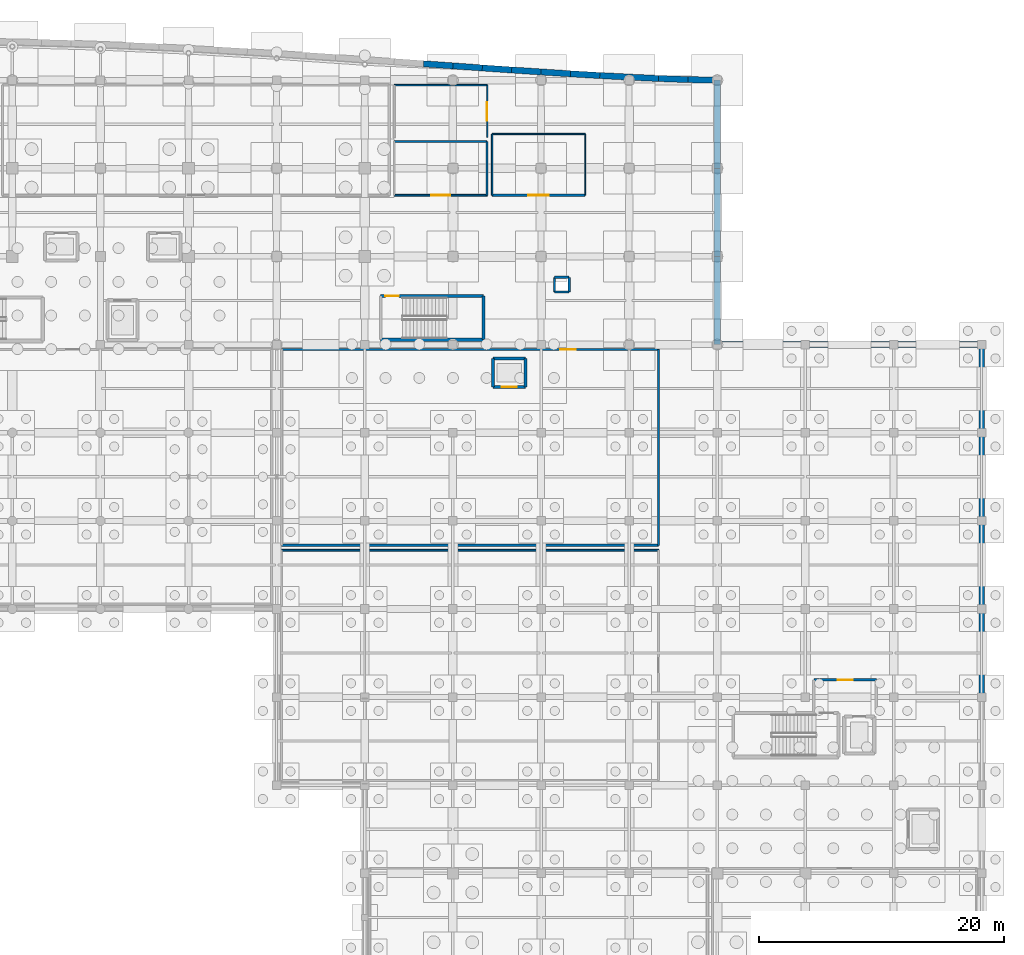
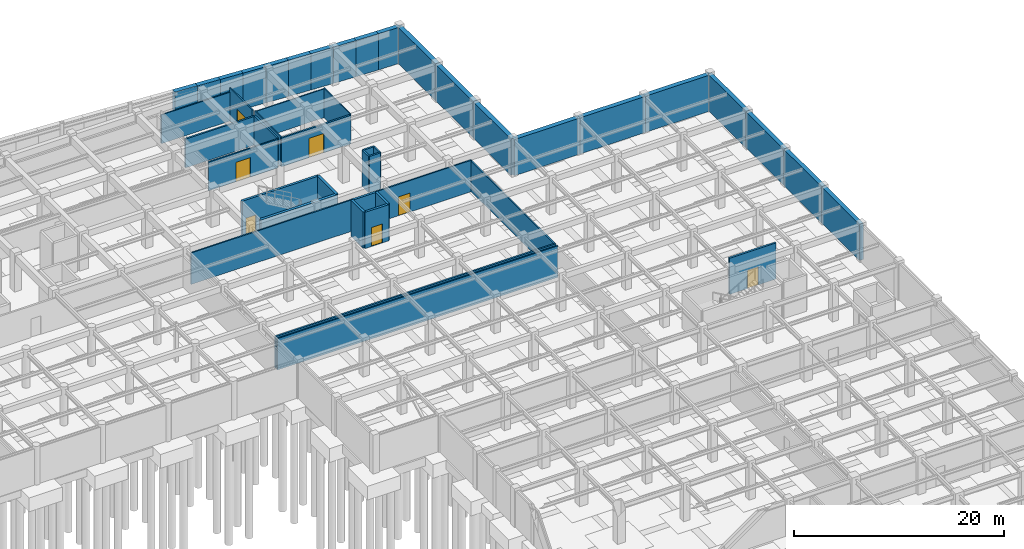
# One storey, part 40 of 48: 45 walls, 7 doors, 7 openings.
"""IFC4 building model written with IfcOpenShell, lengths in metres."""

from ifc_helpers import new_model, si_unit, direction, frame, frame_2d, origin, place, context, subcontext, project, spatial, rectangle, extrude, material, layer, layer_set, type_object, element, fill, save


model = new_model("IFC4")

# Units and contexts
model_context = context("Model", 3, precision=1e-05, world=origin(), true_north=direction((0.0, 1.0)))
body_context = subcontext(model_context, "Body", "Model", "MODEL_VIEW")
ifc_project = project(units=[si_unit("LENGTHUNIT", "METRE"), si_unit("AREAUNIT", "SQUARE_METRE"), si_unit("VOLUMEUNIT", "CUBIC_METRE"), si_unit("PLANEANGLEUNIT", "RADIAN"), si_unit("MASSUNIT", "GRAM", prefix="KILO")], contexts=[model_context])

# Site, building, storey
site_placement = place(None, origin())
site = spatial("IfcSite", under=ifc_project, at=site_placement, CompositionType="ELEMENT")
building_placement = place(site_placement, origin())
building = spatial("IfcBuilding", under=site, at=building_placement, Name="Carrowvane Square Congress Hotel", CompositionType="ELEMENT")
storey_placement = place(building_placement, frame((0.0, 0.0, -4.5)))
storey = spatial("IfcBuildingStorey", under=building, at=storey_placement, Name="B01", CompositionType="ELEMENT", Elevation=-4.5)

# Wall, opening, door
ifc_material_1 = material(Name="Acoustic gypsum board", Category="gypsum")
ifc_layer_1 = layer(ifc_material_1, 0.155029296875)
ifc_layer_set_1 = layer_set([ifc_layer_1], Name="Acoustic gypsum board")
wall_type_1 = type_object("IfcWallType", Name="WL-FIR-155", PredefinedType="PARTITIONING", material=ifc_layer_set_1)
wall_1_placement = place(storey_placement, frame((144.0, 104.0, 0.0), z_axis=(0.0, 0.0, 1.0), x_axis=(-1.0, 0.0, 0.0)))
wall_1 = element("IfcWall", 1, at=wall_1_placement, inside=storey, type_object=wall_type_1, Name="B01 Basement Staff Male Toilets partition", PredefinedType="PARTITIONING", context=body_context, shape_type="SweptSolid", body=[
    extrude(rectangle(XDim=7.60009765625, YDim=0.155029296875, at=frame_2d((3.800048828125, 0.0))), origin(), (0.0, 0.0, 1.0), 3.3349609375),
])
opening_1_placement = place(wall_1_placement, frame((3.02001953125, 0.0, 0.0)))
opening_1 = element("IfcOpeningElement", 2, at=opening_1_placement, cuts=wall_1, Name="Opening ID-26", PredefinedType="OPENING", context=body_context, shape_type="SweptSolid", body=[
    extrude(rectangle(XDim=1.56005859375, YDim=2.260009765625, at=frame_2d((0.780029296875, 1.1298828125))), frame((0.0, 0.08740234375, 0.0), z_axis=(0.0, -1.0, 0.0), x_axis=(1.0, 0.0, 0.0)), (0.0, 0.0, 1.0), 0.175048828125),
])
ifc_material_2 = material(Name="European oak timber", Category="wood")
door_type_1 = type_object("IfcDoorType", Name="DR-INT-1560x2260", OperationType="DOUBLE_DOOR_SINGLE_SWING", PredefinedType="DOOR", material=ifc_material_2)
door_1_placement = place(opening_1_placement, origin())
door_1 = element("IfcDoor", 3, at=door_1_placement, inside=storey, type_object=door_type_1, Name="B01 Basement Staff Male Toilets entrance door", OperationType="DOUBLE_DOOR_SINGLE_SWING", OverallHeight=2.260009765625, OverallWidth=1.56005859375, PredefinedType="DOOR", context=body_context, shape_type="SweptSolid", body=[
    extrude(rectangle(XDim=1.56005859375, YDim=2.260009765625, at=frame_2d((0.780029296875, 1.1298828125))), frame((0.0, 0.02490234375, 0.0), z_axis=(0.0, -1.0, 0.0), x_axis=(1.0, 0.0, 0.0)), (0.0, 0.0, 1.0), 0.050048828125),
])
fill(opening_1, door_1)

# Walls
ifc_material_3 = material(Name="Acoustic gypsum board", Category="gypsum")
ifc_layer_2 = layer(ifc_material_3, 0.169921875)
ifc_layer_set_2 = layer_set([ifc_layer_2], Name="Acoustic gypsum board")
wall_type_2 = type_object("IfcWallType", Name="WL-FIR-170", PredefinedType="PARTITIONING", material=ifc_layer_set_2)
wall_2_placement = place(storey_placement, frame((144.0, 108.39990234375, 0.0), z_axis=(0.0, 0.0, 1.0), x_axis=(0.0, -1.0, 0.0)))
element("IfcWall", 4, at=wall_2_placement, inside=storey, type_object=wall_type_2, Name="B01 Basement Staff Male Toilets partition", PredefinedType="PARTITIONING", context=body_context, shape_type="SweptSolid", body=[
    extrude(rectangle(XDim=4.39990234375, YDim=0.169921875, at=frame_2d((2.199951171875, 0.0))), origin(), (0.0, 0.0, 1.0), 3.43505859375),
])
ifc_material_4 = material(Name="Acoustic gypsum board", Category="gypsum")
ifc_layer_3 = layer(ifc_material_4, 0.18505859375)
ifc_layer_set_3 = layer_set([ifc_layer_3], Name="Acoustic gypsum board")
wall_type_3 = type_object("IfcWallType", Name="WL-FIR-185", PredefinedType="PARTITIONING", material=ifc_layer_set_3)
wall_3_placement = place(storey_placement, frame((158.0, 75.39990234375, 0.0), z_axis=(0.0, 0.0, 1.0), x_axis=(-1.0, 0.0, 0.0)))
element("IfcWall", 5, at=wall_3_placement, inside=storey, type_object=wall_type_3, Name="B01 LTHW Boiler and Thermal Storage Plant Room partition", PredefinedType="PARTITIONING", context=body_context, shape_type="SweptSolid", body=[
    extrude(rectangle(XDim=30.800048828125, YDim=0.18505859375, at=frame_2d((15.39990234375, 0.0))), origin(), (0.0, 0.0, 1.0), 3.648193359375),
])
wall_4_placement = place(storey_placement, frame((136.39990234375, 108.39990234375, 0.0), z_axis=(0.0, 0.0, 1.0), x_axis=(1.0, 0.0, 0.0)))
element("IfcWall", 6, at=wall_4_placement, inside=storey, type_object=wall_type_3, Name="B01 Basement Staff Male Toilets partition", PredefinedType="PARTITIONING", context=body_context, shape_type="SweptSolid", body=[
    extrude(rectangle(XDim=7.60009765625, YDim=0.18505859375, at=frame_2d((3.800048828125, 0.0))), origin(), (0.0, 0.0, 1.0), 3.3349609375),
])

# Wall, opening, door
wall_5_placement = place(storey_placement, frame((152.0, 104.0, 0.0), z_axis=(0.0, 0.0, 1.0), x_axis=(-1.0, 0.0, 0.0)))
wall_5 = element("IfcWall", 7, at=wall_5_placement, inside=storey, type_object=wall_type_3, Name="B01 Basement Accessible WC partition", PredefinedType="PARTITIONING", context=body_context, shape_type="SweptSolid", body=[
    extrude(rectangle(XDim=7.60009765625, YDim=0.18505859375, at=frame_2d((3.800048828125, 0.0))), origin(), (0.0, 0.0, 1.0), 3.3349609375),
])
opening_2_placement = place(wall_5_placement, frame((2.97509765625, 0.0, 0.0)))
opening_2 = element("IfcOpeningElement", 8, at=opening_2_placement, cuts=wall_5, Name="Opening ID-12", PredefinedType="OPENING", context=body_context, shape_type="SweptSolid", body=[
    extrude(rectangle(XDim=1.64990234375, YDim=2.25, at=frame_2d((0.824951171875, 1.125))), frame((0.0, 0.1025390625, 0.0), z_axis=(0.0, -1.0, 0.0), x_axis=(1.0, 0.0, 0.0)), (0.0, 0.0, 1.0), 0.205078125),
])
ifc_material_5 = material(Name="European oak timber", Category="wood")
door_type_2 = type_object("IfcDoorType", Name="DR-INT-1650x2250", OperationType="DOUBLE_DOOR_SINGLE_SWING", PredefinedType="DOOR", material=ifc_material_5)
door_2_placement = place(opening_2_placement, origin())
door_2 = element("IfcDoor", 9, at=door_2_placement, inside=storey, type_object=door_type_2, Name="B01 Basement Accessible WC entrance door", OperationType="DOUBLE_DOOR_SINGLE_SWING", OverallHeight=2.25, OverallWidth=1.64990234375, PredefinedType="DOOR", context=body_context, shape_type="SweptSolid", body=[
    extrude(rectangle(XDim=1.64990234375, YDim=2.25, at=frame_2d((0.824951171875, 1.125))), frame((0.0, 0.02490234375, 0.0), z_axis=(0.0, -1.0, 0.0), x_axis=(1.0, 0.0, 0.0)), (0.0, 0.0, 1.0), 0.050048828125),
])
fill(opening_2, door_2)

ifc_material_6 = material(Name="Acoustic gypsum board", Category="gypsum")
ifc_layer_4 = layer(ifc_material_6, 0.205078125)
ifc_layer_set_4 = layer_set([ifc_layer_4], Name="Acoustic gypsum board")
wall_type_4 = type_object("IfcWallType", Name="WL-FIR-205", PredefinedType="PARTITIONING", material=ifc_layer_set_4)
wall_6_placement = place(storey_placement, frame((175.800048828125, 64.39990234375, 0.0), z_axis=(0.0, 0.0, 1.0), x_axis=(-1.0, 0.0, 0.0)))
wall_6 = element("IfcWall", 10, at=wall_6_placement, inside=storey, type_object=wall_type_4, Name="B01 Firefighting Lobby C4 wall north", PredefinedType="PARTITIONING", context=body_context, shape_type="SweptSolid", body=[
    extrude(rectangle(XDim=5.10009765625, YDim=0.205078125, at=frame_2d((2.550048828125, 0.0))), origin(), (0.0, 0.0, 1.0), 4.199951171875),
])
opening_3_placement = place(wall_6_placement, frame((1.949951171875, 0.0, 0.0)))
opening_3 = element("IfcOpeningElement", 11, at=opening_3_placement, cuts=wall_6, Name="Opening FD-02", PredefinedType="OPENING", context=body_context, shape_type="SweptSolid", body=[
    extrude(rectangle(XDim=1.199951171875, YDim=2.10009765625, at=frame_2d((0.60009765625, 1.050048828125))), frame((0.0, 0.112548828125, 0.0), z_axis=(0.0, -1.0, 0.0), x_axis=(1.0, 0.0, 0.0)), (0.0, 0.0, 1.0), 0.22509765625),
])
ifc_material_7 = material(Name="European oak timber", Category="wood")
door_type_3 = type_object("IfcDoorType", Name="DR-FD60-1200x2100", OperationType="NOTDEFINED", PredefinedType="DOOR", material=ifc_material_7)
door_3_placement = place(opening_3_placement, origin())
door_3 = element("IfcDoor", 12, at=door_3_placement, inside=storey, type_object=door_type_3, Name="B01 Firefighting Lobby C4 entrance door", OperationType="SINGLE_SWING_RIGHT", OverallHeight=2.10009765625, OverallWidth=1.199951171875, PredefinedType="DOOR", context=body_context, shape_type="SweptSolid", body=[
    extrude(rectangle(XDim=1.199951171875, YDim=2.10009765625, at=frame_2d((0.60009765625, 1.050048828125))), frame((0.0, 0.02490234375, 0.0), z_axis=(0.0, -1.0, 0.0), x_axis=(1.0, 0.0, 0.0)), (0.0, 0.0, 1.0), 0.050048828125),
])
fill(opening_3, door_3)

# Walls
ifc_material_8 = material(Name="Standing-seam zinc cladding", Category="metal")
ifc_layer_5 = layer(ifc_material_8, 0.195068359375)
ifc_layer_set_5 = layer_set([ifc_layer_5], Name="Standing-seam zinc cladding")
wall_type_5 = type_object("IfcWallType", Name="WL-PAR-195", PredefinedType="PARAPET", material=ifc_layer_set_5)
for number, where, z_axis, x_axis, name in (
    (13, (149.5, 96.10009765625, 0.0), (0.0, 0.0, 1.0), (1.0, 0.0, 0.0), "B01 service riser RSR-V5E enclosure S"),
    (14, (150.699951171875, 96.10009765625, 0.0), (0.0, 0.0, 1.0), (0.0, 1.0, 0.0), "B01 service riser RSR-V5E enclosure E"),
    (15, (150.699951171875, 97.300048828125, 0.0), (0.0, 0.0, 1.0), (-1.0, 0.0, 0.0), "B01 service riser RSR-V5E enclosure N"),
    (16, (149.5, 97.300048828125, 0.0), (0.0, 0.0, 1.0), (0.0, -1.0, 0.0), "B01 service riser RSR-V5E enclosure W"),
):
    element("IfcWall", number, at=place(storey_placement, frame(where, z_axis=z_axis, x_axis=x_axis)), inside=storey, type_object=wall_type_5, Name=name, PredefinedType="PARAPET", context=body_context, shape_type="SweptSolid", body=[
        extrude(rectangle(XDim=1.199951171875, YDim=0.195068359375, at=frame_2d((0.60009765625, 0.0))), origin(), (0.0, 0.0, 1.0), 4.199951171875),
    ])
ifc_material_9 = material(Name="Acoustic gypsum board", Category="gypsum")
ifc_layer_6 = layer(ifc_material_9, 0.097900390625)
ifc_layer_set_6 = layer_set([ifc_layer_6], Name="Acoustic gypsum board")
wall_type_6 = type_object("IfcWallType", Name="WL-PRT-098", PredefinedType="PARTITIONING", material=ifc_layer_set_6)
wall_7_placement = place(storey_placement, frame((152.0, 109.0, 0.0), z_axis=(0.0, 0.0, 1.0), x_axis=(0.0, -1.0, 0.0)))
element("IfcWall", 17, at=wall_7_placement, inside=storey, type_object=wall_type_6, Name="B01 Basement Accessible WC partition", PredefinedType="PARTITIONING", context=body_context, shape_type="SweptSolid", body=[
    extrude(rectangle(XDim=5.0, YDim=0.097900390625, at=frame_2d((2.5, 0.0))), origin(), (0.0, 0.0, 1.0), 3.43505859375),
])
ifc_material_10 = material(Name="Acoustic gypsum board", Category="gypsum")
ifc_layer_7 = layer(ifc_material_10, 0.10791015625)
ifc_layer_set_7 = layer_set([ifc_layer_7], Name="Acoustic gypsum board")
wall_type_7 = type_object("IfcWallType", Name="WL-PRT-108", PredefinedType="PARTITIONING", material=ifc_layer_set_7)
wall_8_placement = place(storey_placement, frame((144.39990234375, 109.0, 0.0), z_axis=(0.0, 0.0, 1.0), x_axis=(1.0, 0.0, 0.0)))
element("IfcWall", 18, at=wall_8_placement, inside=storey, type_object=wall_type_7, Name="B01 Basement Accessible WC partition", PredefinedType="PARTITIONING", context=body_context, shape_type="SweptSolid", body=[
    extrude(rectangle(XDim=7.60009765625, YDim=0.10791015625, at=frame_2d((3.800048828125, 0.0))), origin(), (0.0, 0.0, 1.0), 3.3349609375),
])
ifc_material_11 = material(Name="Acoustic gypsum board", Category="gypsum")
ifc_layer_8 = layer(ifc_material_11, 0.117919921875)
ifc_layer_set_8 = layer_set([ifc_layer_8], Name="Acoustic gypsum board")
wall_type_8 = type_object("IfcWallType", Name="WL-PRT-118", PredefinedType="PARTITIONING", material=ifc_layer_set_8)
wall_9_placement = place(storey_placement, frame((144.39990234375, 104.0, 0.0), z_axis=(0.0, 0.0, 1.0), x_axis=(0.0, 1.0, 0.0)))
element("IfcWall", 19, at=wall_9_placement, inside=storey, type_object=wall_type_8, Name="B01 Basement Accessible WC partition", PredefinedType="PARTITIONING", context=body_context, shape_type="SweptSolid", body=[
    extrude(rectangle(XDim=5.0, YDim=0.117919921875, at=frame_2d((2.5, 0.0))), origin(), (0.0, 0.0, 1.0), 3.43505859375),
])

# Wall, opening, door
ifc_material_12 = material(Name="Acoustic gypsum board", Category="gypsum")
ifc_layer_9 = layer(ifc_material_12, 0.1279296875)
ifc_layer_set_9 = layer_set([ifc_layer_9], Name="Acoustic gypsum board")
wall_type_9 = type_object("IfcWallType", Name="WL-PRT-128", PredefinedType="PARTITIONING", material=ifc_layer_set_9)
wall_10_placement = place(storey_placement, frame((144.0, 113.0, 0.0), z_axis=(0.0, 0.0, 1.0), x_axis=(0.0, -1.0, 0.0)))
wall_10 = element("IfcWall", 20, at=wall_10_placement, inside=storey, type_object=wall_type_9, Name="B01 Basement Staff Female Toilets partition", PredefinedType="PARTITIONING", context=body_context, shape_type="SweptSolid", body=[
    extrude(rectangle(XDim=4.300048828125, YDim=0.1279296875, at=frame_2d((2.14990234375, 0.0))), origin(), (0.0, 0.0, 1.0), 3.826904296875),
])
opening_4_placement = place(wall_10_placement, frame((1.39990234375, 0.0, 0.0)))
opening_4 = element("IfcOpeningElement", 21, at=opening_4_placement, cuts=wall_10, Name="Opening ID-11", PredefinedType="OPENING", context=body_context, shape_type="SweptSolid", body=[
    extrude(rectangle(XDim=1.5, YDim=2.199951171875, at=frame_2d((0.75, 1.10009765625))), frame((0.0, 0.073974609375, 0.0), z_axis=(0.0, -1.0, 0.0), x_axis=(1.0, 0.0, 0.0)), (0.0, 0.0, 1.0), 0.14794921875),
])
ifc_material_13 = material(Name="European oak timber", Category="wood")
door_type_4 = type_object("IfcDoorType", Name="DR-INT-1500x2200", OperationType="DOUBLE_DOOR_SINGLE_SWING", PredefinedType="DOOR", material=ifc_material_13)
door_4_placement = place(opening_4_placement, origin())
door_4 = element("IfcDoor", 22, at=door_4_placement, inside=storey, type_object=door_type_4, Name="B01 Basement Staff Female Toilets entrance door", OperationType="DOUBLE_DOOR_SINGLE_SWING", OverallHeight=2.199951171875, OverallWidth=1.5, PredefinedType="DOOR", context=body_context, shape_type="SweptSolid", body=[
    extrude(rectangle(XDim=1.5, YDim=2.199951171875, at=frame_2d((0.75, 1.10009765625))), frame((0.0, 0.02490234375, 0.0), z_axis=(0.0, -1.0, 0.0), x_axis=(1.0, 0.0, 0.0)), (0.0, 0.0, 1.0), 0.050048828125),
])
fill(opening_4, door_4)

# Walls
ifc_material_14 = material(Name="Acoustic gypsum board", Category="gypsum")
ifc_layer_10 = layer(ifc_material_14, 0.137939453125)
ifc_layer_set_10 = layer_set([ifc_layer_10], Name="Acoustic gypsum board")
wall_type_10 = type_object("IfcWallType", Name="WL-PRT-138", PredefinedType="PARTITIONING", material=ifc_layer_set_10)
wall_11_placement = place(storey_placement, frame((127.199951171875, 75.0, 0.0), z_axis=(0.0, 0.0, 1.0), x_axis=(1.0, 0.0, 0.0)))
element("IfcWall", 23, at=wall_11_placement, inside=storey, type_object=wall_type_10, Name="B01 Central Chiller and Heat-Pump Plant Room partition", PredefinedType="PARTITIONING", context=body_context, shape_type="SweptSolid", body=[
    extrude(rectangle(XDim=30.800048828125, YDim=0.137939453125, at=frame_2d((15.39990234375, 0.0))), origin(), (0.0, 0.0, 1.0), 3.648193359375),
])
wall_12_placement = place(storey_placement, frame((158.0, 91.39990234375, 0.0), z_axis=(0.0, 0.0, 1.0), x_axis=(0.0, -1.0, 0.0)))
element("IfcWall", 24, at=wall_12_placement, inside=storey, type_object=wall_type_10, Name="B01 LTHW Boiler and Thermal Storage Plant Room partition", PredefinedType="PARTITIONING", context=body_context, shape_type="SweptSolid", body=[
    extrude(rectangle(XDim=16.0, YDim=0.137939453125, at=frame_2d((8.0, 0.0))), origin(), (0.0, 0.0, 1.0), 3.534912109375),
])
wall_13_placement = place(storey_placement, frame((136.39990234375, 113.0, 0.0), z_axis=(0.0, 0.0, 1.0), x_axis=(1.0, 0.0, 0.0)))
element("IfcWall", 25, at=wall_13_placement, inside=storey, type_object=wall_type_10, Name="B01 Basement Staff Female Toilets partition", PredefinedType="PARTITIONING", context=body_context, shape_type="SweptSolid", body=[
    extrude(rectangle(XDim=7.60009765625, YDim=0.137939453125, at=frame_2d((3.800048828125, 0.0))), origin(), (0.0, 0.0, 1.0), 3.3349609375),
])

# Wall, opening, door
ifc_material_15 = material(Name="Acoustic gypsum board", Category="gypsum")
ifc_layer_11 = layer(ifc_material_15, 0.14794921875)
ifc_layer_set_11 = layer_set([ifc_layer_11], Name="Acoustic gypsum board")
wall_type_11 = type_object("IfcWallType", Name="WL-PRT-148", PredefinedType="PARTITIONING", material=ifc_layer_set_11)
wall_14_placement = place(storey_placement, frame((127.199951171875, 91.39990234375, 0.0), z_axis=(0.0, 0.0, 1.0), x_axis=(1.0, 0.0, 0.0)))
wall_14 = element("IfcWall", 26, at=wall_14_placement, inside=storey, type_object=wall_type_11, Name="B01 LTHW Boiler and Thermal Storage Plant Room partition", PredefinedType="PARTITIONING", context=body_context, shape_type="SweptSolid", body=[
    extrude(rectangle(XDim=30.800048828125, YDim=0.14794921875, at=frame_2d((15.39990234375, 0.0))), origin(), (0.0, 0.0, 1.0), 3.648193359375),
])
opening_5_placement = place(wall_14_placement, frame((22.77490234375, 0.0, 0.0)))
opening_5 = element("IfcOpeningElement", 27, at=opening_5_placement, cuts=wall_14, Name="Opening ID-10", PredefinedType="OPENING", context=body_context, shape_type="SweptSolid", body=[
    extrude(rectangle(XDim=1.25, YDim=2.199951171875, at=frame_2d((0.625, 1.10009765625))), frame((0.0, 0.083984375, 0.0), z_axis=(0.0, -1.0, 0.0), x_axis=(1.0, 0.0, 0.0)), (0.0, 0.0, 1.0), 0.16796875),
])
ifc_material_16 = material(Name="European oak timber", Category="wood")
door_type_5 = type_object("IfcDoorType", Name="DR-INT-1250x2200", OperationType="NOTDEFINED", PredefinedType="DOOR", material=ifc_material_16)
door_5_placement = place(opening_5_placement, origin())
door_5 = element("IfcDoor", 28, at=door_5_placement, inside=storey, type_object=door_type_5, Name="B01 LTHW Boiler and Thermal Storage Plant Room entrance door", OperationType="SINGLE_SWING_RIGHT", OverallHeight=2.199951171875, OverallWidth=1.25, PredefinedType="DOOR", context=body_context, shape_type="SweptSolid", body=[
    extrude(rectangle(XDim=1.25, YDim=2.199951171875, at=frame_2d((0.625, 1.10009765625))), frame((0.0, 0.02490234375, 0.0), z_axis=(0.0, -1.0, 0.0), x_axis=(1.0, 0.0, 0.0)), (0.0, 0.0, 1.0), 0.050048828125),
])
fill(opening_5, door_5)

# Walls
ifc_material_17 = material(Name="Concrete C35/45", Category="concrete")
ifc_layer_12 = layer(ifc_material_17, 0.449951171875)
ifc_layer_set_12 = layer_set([ifc_layer_12], Name="Concrete C35/45")
wall_type_12 = type_object("IfcWallType", Name="WL-RET-450", PredefinedType="SOLIDWALL", material=ifc_layer_set_12)
wall_15_placement = place(storey_placement, frame((184.39990234375, 91.800048828125, 0.0), z_axis=(0.0, 0.0, 1.0), x_axis=(0.0, -1.0, 0.0)))
element("IfcWall", 29, at=wall_15_placement, inside=storey, type_object=wall_type_12, Name="B01 perimeter retaining wall 79", PredefinedType="SOLIDWALL", context=body_context, shape_type="SweptSolid", body=[
    extrude(rectangle(XDim=7.199951171875, YDim=0.449951171875, at=frame_2d((3.60009765625, 0.0))), origin(), (0.0, 0.0, 1.0), 4.199951171875),
])
wall_16_placement = place(storey_placement, frame((184.39990234375, 84.60009765625, 0.0), z_axis=(0.0, 0.0, 1.0), x_axis=(0.0, -1.0, 0.0)))
element("IfcWall", 30, at=wall_16_placement, inside=storey, type_object=wall_type_12, Name="B01 perimeter retaining wall 80", PredefinedType="SOLIDWALL", context=body_context, shape_type="SweptSolid", body=[
    extrude(rectangle(XDim=7.2001953125, YDim=0.449951171875, at=frame_2d((3.60009765625, 0.0))), origin(), (0.0, 0.0, 1.0), 4.199951171875),
])
for number, where, z_axis, x_axis, name in (
    (31, (184.39990234375, 77.39990234375, 0.0), (0.0, 0.0, 1.0), (0.0, -1.0, 0.0), "B01 perimeter retaining wall 81"),
    (32, (184.39990234375, 70.199951171875, 0.0), (0.0, 0.0, 1.0), (0.0, -1.0, 0.0), "B01 perimeter retaining wall 82"),
):
    element("IfcWall", number, at=place(storey_placement, frame(where, z_axis=z_axis, x_axis=x_axis)), inside=storey, type_object=wall_type_12, Name=name, PredefinedType="SOLIDWALL", context=body_context, shape_type="SweptSolid", body=[
        extrude(rectangle(XDim=7.199951171875, YDim=0.449951171875, at=frame_2d((3.60009765625, 0.0))), origin(), (0.0, 0.0, 1.0), 4.199951171875),
    ])
ifc_material_18 = material(Name="Concrete C35/45", Category="concrete")
ifc_layer_13 = layer(ifc_material_18, 0.5)
ifc_layer_set_13 = layer_set([ifc_layer_13], Name="Concrete C35/45")
wall_type_13 = type_object("IfcWallType", Name="WL-RET-500", PredefinedType="SOLIDWALL", material=ifc_layer_set_13)
wall_17_placement = place(storey_placement, frame((138.800048828125, 114.7431640625, 0.0), z_axis=(0.0, 0.0, 1.0), x_axis=(0.997445290295, -0.071434535541, 0.0)))
element("IfcWall", 33, at=wall_17_placement, inside=storey, type_object=wall_type_13, Name="B01 perimeter retaining wall 63", PredefinedType="SOLIDWALL", context=body_context, shape_type="SweptSolid", body=[
    extrude(rectangle(XDim=2.406005859375, YDim=0.5, at=frame_2d((1.203125, 0.0))), origin(), (0.0, 0.0, 1.0), 4.199951171875),
])
wall_18_placement = place(storey_placement, frame((141.199951171875, 114.5712890625, 0.0), z_axis=(0.0, 0.0, 1.0), x_axis=(0.997503312013, -0.070619703505, 0.0)))
element("IfcWall", 34, at=wall_18_placement, inside=storey, type_object=wall_type_13, Name="B01 perimeter retaining wall 64", PredefinedType="SOLIDWALL", context=body_context, shape_type="SweptSolid", body=[
    extrude(rectangle(XDim=2.40625, YDim=0.5, at=frame_2d((1.203125, 0.0))), origin(), (0.0, 0.0, 1.0), 4.199951171875),
])
wall_19_placement = place(storey_placement, frame((143.60009765625, 114.4013671875, 0.0), z_axis=(0.0, 0.0, 1.0), x_axis=(0.997622876154, -0.068910064385, 0.0)))
element("IfcWall", 35, at=wall_19_placement, inside=storey, type_object=wall_type_13, Name="B01 perimeter retaining wall 65", PredefinedType="SOLIDWALL", context=body_context, shape_type="SweptSolid", body=[
    extrude(rectangle(XDim=2.405517578125, YDim=0.5, at=frame_2d((1.20263671875, 0.0))), origin(), (0.0, 0.0, 1.0), 4.199951171875),
])
wall_20_placement = place(storey_placement, frame((146.0, 114.235595703125, 0.0), z_axis=(0.0, 0.0, 1.0), x_axis=(0.997780664271, -0.066586380037, 0.0)))
element("IfcWall", 36, at=wall_20_placement, inside=storey, type_object=wall_type_13, Name="B01 perimeter retaining wall 66", PredefinedType="SOLIDWALL", context=body_context, shape_type="SweptSolid", body=[
    extrude(rectangle(XDim=2.4052734375, YDim=0.5, at=frame_2d((1.20263671875, 0.0))), origin(), (0.0, 0.0, 1.0), 4.199951171875),
])
wall_21_placement = place(storey_placement, frame((148.39990234375, 114.075439453125, 0.0), z_axis=(0.0, 0.0, 1.0), x_axis=(0.997991675206, -0.063345214661, 0.0)))
element("IfcWall", 37, at=wall_21_placement, inside=storey, type_object=wall_type_13, Name="B01 perimeter retaining wall 67", PredefinedType="SOLIDWALL", context=body_context, shape_type="SweptSolid", body=[
    extrude(rectangle(XDim=2.405029296875, YDim=0.5, at=frame_2d((1.20263671875, 0.0))), origin(), (0.0, 0.0, 1.0), 4.199951171875),
])
wall_22_placement = place(storey_placement, frame((150.800048828125, 113.923095703125, 0.0), z_axis=(0.0, 0.0, 1.0), x_axis=(0.998257875509, -0.059001813395, 0.0)))
element("IfcWall", 38, at=wall_22_placement, inside=storey, type_object=wall_type_13, Name="B01 perimeter retaining wall 68", PredefinedType="SOLIDWALL", context=body_context, shape_type="SweptSolid", body=[
    extrude(rectangle(XDim=2.404052734375, YDim=0.5, at=frame_2d((1.2021484375, 0.0))), origin(), (0.0, 0.0, 1.0), 4.199951171875),
])
wall_23_placement = place(storey_placement, frame((153.199951171875, 113.78125, 0.0), z_axis=(0.0, 0.0, 1.0), x_axis=(0.998571714984, -0.053427802063, 0.0)))
element("IfcWall", 39, at=wall_23_placement, inside=storey, type_object=wall_type_13, Name="B01 perimeter retaining wall 69", PredefinedType="SOLIDWALL", context=body_context, shape_type="SweptSolid", body=[
    extrude(rectangle(XDim=2.403564453125, YDim=0.5, at=frame_2d((1.20166015625, 0.0))), origin(), (0.0, 0.0, 1.0), 4.199951171875),
])
wall_24_placement = place(storey_placement, frame((155.60009765625, 113.65283203125, 0.0), z_axis=(0.0, 0.0, 1.0), x_axis=(0.998916353717, -0.046541575789, 0.0)))
element("IfcWall", 40, at=wall_24_placement, inside=storey, type_object=wall_type_13, Name="B01 perimeter retaining wall 70", PredefinedType="SOLIDWALL", context=body_context, shape_type="SweptSolid", body=[
    extrude(rectangle(XDim=2.402587890625, YDim=0.5, at=frame_2d((1.201171875, 0.0))), origin(), (0.0, 0.0, 1.0), 4.199951171875),
])
wall_25_placement = place(storey_placement, frame((158.0, 113.541015625, 0.0), z_axis=(0.0, 0.0, 1.0), x_axis=(0.99930757318, -0.037207179225, 0.0)))
element("IfcWall", 41, at=wall_25_placement, inside=storey, type_object=wall_type_13, Name="B01 perimeter retaining wall 71", PredefinedType="SOLIDWALL", context=body_context, shape_type="SweptSolid", body=[
    extrude(rectangle(XDim=2.401611328125, YDim=0.5, at=frame_2d((1.20068359375, 0.0))), origin(), (0.0, 0.0, 1.0), 4.199951171875),
])
wall_26_placement = place(storey_placement, frame((160.39990234375, 113.45166015625, 0.0), z_axis=(0.0, 0.0, 1.0), x_axis=(0.999767568547, -0.021559426766, 0.0)))
element("IfcWall", 42, at=wall_26_placement, inside=storey, type_object=wall_type_13, Name="B01 perimeter retaining wall 72", PredefinedType="SOLIDWALL", context=body_context, shape_type="SweptSolid", body=[
    extrude(rectangle(XDim=2.400634765625, YDim=0.5, at=frame_2d((1.2001953125, 0.0))), origin(), (0.0, 0.0, 1.0), 4.199951171875),
])
for number, where, z_axis, x_axis, name in (
    (43, (162.800048828125, 113.39990234375, 0.0), (0.0, 0.0, 1.0), (0.0, -1.0, 0.0), "B01 perimeter retaining wall 73"),
    (44, (162.800048828125, 106.199951171875, 0.0), (0.0, 0.0, 1.0), (0.0, -1.0, 0.0), "B01 perimeter retaining wall 74"),
    (45, (162.800048828125, 99.0, 0.0), (0.0, 0.0, 1.0), (0.0, -1.0, 0.0), "B01 perimeter retaining wall 75"),
    (46, (162.800048828125, 91.800048828125, 0.0), (0.0, 0.0, 1.0), (1.0, 0.0, 0.0), "B01 perimeter retaining wall 76"),
    (47, (170.0, 91.800048828125, 0.0), (0.0, 0.0, 1.0), (1.0, 0.0, 0.0), "B01 perimeter retaining wall 77"),
    (48, (177.199951171875, 91.800048828125, 0.0), (0.0, 0.0, 1.0), (1.0, 0.0, 0.0), "B01 perimeter retaining wall 78"),
):
    element("IfcWall", number, at=place(storey_placement, frame(where, z_axis=z_axis, x_axis=x_axis)), inside=storey, type_object=wall_type_13, Name=name, PredefinedType="SOLIDWALL", context=body_context, shape_type="SweptSolid", body=[
        extrude(rectangle(XDim=7.199951171875, YDim=0.5, at=frame_2d((3.60009765625, 0.0))), origin(), (0.0, 0.0, 1.0), 4.199951171875),
    ])

# Wall, opening, door
ifc_material_19 = material(Name="Concrete C40/50", Category="concrete")
ifc_layer_14 = layer(ifc_material_19, 0.25)
ifc_layer_set_14 = layer_set([ifc_layer_14], Name="Concrete C40/50")
wall_type_14 = type_object("IfcWallType", Name="WL-SHR-250", PredefinedType="SHEAR", material=ifc_layer_set_14)
wall_27_placement = place(storey_placement, frame((143.699951171875, 95.760009765625, 0.0), z_axis=(0.0, 0.0, 1.0), x_axis=(-1.0, 0.0, 0.0)))
wall_27 = element("IfcWall", 49, at=wall_27_placement, inside=storey, type_object=wall_type_14, Name="B01 ST12 core wall north", PredefinedType="SHEAR", context=body_context, shape_type="SweptSolid", body=[
    extrude(rectangle(XDim=8.39990234375, YDim=0.25, at=frame_2d((4.199951171875, 0.0))), origin(), (0.0, 0.0, 1.0), 4.199951171875),
])
opening_6_placement = place(wall_27_placement, frame((6.909912109375, 0.0, 0.0)))
opening_6 = element("IfcOpeningElement", 50, at=opening_6_placement, cuts=wall_27, Name="Opening FD-01", PredefinedType="OPENING", context=body_context, shape_type="SweptSolid", body=[
    extrude(rectangle(XDim=1.10009765625, YDim=2.10009765625, at=frame_2d((0.550048828125, 1.050048828125))), frame((0.0, 0.135009765625, 0.0), z_axis=(0.0, -1.0, 0.0), x_axis=(1.0, 0.0, 0.0)), (0.0, 0.0, 1.0), 0.27001953125),
])
ifc_material_20 = material(Name="European oak timber", Category="wood")
door_type_6 = type_object("IfcDoorType", Name="DR-FD60-1100x2100", OperationType="NOTDEFINED", PredefinedType="DOOR", material=ifc_material_20)
door_6_placement = place(opening_6_placement, origin())
door_6 = element("IfcDoor", 51, at=door_6_placement, inside=storey, type_object=door_type_6, Name="B01 ST12 fire door", OperationType="SINGLE_SWING_RIGHT", OverallHeight=2.10009765625, OverallWidth=1.10009765625, PredefinedType="DOOR", context=body_context, shape_type="SweptSolid", body=[
    extrude(rectangle(XDim=1.10009765625, YDim=2.10009765625, at=frame_2d((0.550048828125, 1.050048828125))), frame((0.0, 0.02490234375, 0.0), z_axis=(0.0, -1.0, 0.0), x_axis=(1.0, 0.0, 0.0)), (0.0, 0.0, 1.0), 0.050048828125),
])
fill(opening_6, door_6)

wall_28_placement = place(storey_placement, frame((144.47509765625, 88.324951171875, 0.0), z_axis=(0.0, 0.0, 1.0), x_axis=(1.0, 0.0, 0.0)))
wall_28 = element("IfcWall", 52, at=wall_28_placement, inside=storey, type_object=wall_type_14, Name="B01 CL-3 shaft wall south", PredefinedType="SHEAR", context=body_context, shape_type="SweptSolid", body=[
    extrude(rectangle(XDim=2.64990234375, YDim=0.25, at=frame_2d((1.324951171875, 0.0))), origin(), (0.0, 0.0, 1.0), 4.199951171875),
])
opening_7_placement = place(wall_28_placement, frame((0.72509765625, 0.0, 0.0)))
opening_7 = element("IfcOpeningElement", 53, at=opening_7_placement, cuts=wall_28, Name="Opening LD-CL-3", PredefinedType="OPENING", context=body_context, shape_type="SweptSolid", body=[
    extrude(rectangle(XDim=1.199951171875, YDim=2.199951171875, at=frame_2d((0.60009765625, 1.10009765625))), frame((0.0, 0.135009765625, 0.0), z_axis=(0.0, -1.0, 0.0), x_axis=(1.0, 0.0, 0.0)), (0.0, 0.0, 1.0), 0.27001953125),
])
ifc_material_21 = material(Name="Stainless steel 316", Category="steel")
door_type_7 = type_object("IfcDoorType", Name="DR-LD-1200x2200", OperationType="DOUBLE_DOOR_SLIDING", PredefinedType="DOOR", material=ifc_material_21)
door_7_placement = place(opening_7_placement, origin())
door_7 = element("IfcDoor", 54, at=door_7_placement, inside=storey, type_object=door_type_7, Name="B01 CL-3 sliding lift landing door", OperationType="DOUBLE_DOOR_SLIDING", OverallHeight=2.199951171875, OverallWidth=1.199951171875, PredefinedType="DOOR", context=body_context, shape_type="SweptSolid", body=[
    extrude(rectangle(XDim=1.199951171875, YDim=2.199951171875, at=frame_2d((0.60009765625, 1.10009765625))), frame((0.0, 0.02490234375, 0.0), z_axis=(0.0, -1.0, 0.0), x_axis=(1.0, 0.0, 0.0)), (0.0, 0.0, 1.0), 0.050048828125),
])
fill(opening_7, door_7)

# Walls
wall_29_placement = place(storey_placement, frame((147.125, 88.324951171875, 0.0), z_axis=(0.0, 0.0, 1.0), x_axis=(0.0, 1.0, 0.0)))
element("IfcWall", 55, at=wall_29_placement, inside=storey, type_object=wall_type_14, Name="B01 CL-3 shaft wall east", PredefinedType="SHEAR", context=body_context, shape_type="SweptSolid", body=[
    extrude(rectangle(XDim=2.35009765625, YDim=0.25, at=frame_2d((1.175048828125, 0.0))), origin(), (0.0, 0.0, 1.0), 4.199951171875),
])
wall_30_placement = place(storey_placement, frame((147.125, 90.675048828125, 0.0), z_axis=(0.0, 0.0, 1.0), x_axis=(-1.0, 0.0, 0.0)))
element("IfcWall", 56, at=wall_30_placement, inside=storey, type_object=wall_type_14, Name="B01 CL-3 shaft wall north", PredefinedType="SHEAR", context=body_context, shape_type="SweptSolid", body=[
    extrude(rectangle(XDim=2.64990234375, YDim=0.25, at=frame_2d((1.324951171875, 0.0))), origin(), (0.0, 0.0, 1.0), 4.199951171875),
])
wall_31_placement = place(storey_placement, frame((144.47509765625, 90.675048828125, 0.0), z_axis=(0.0, 0.0, 1.0), x_axis=(0.0, -1.0, 0.0)))
element("IfcWall", 57, at=wall_31_placement, inside=storey, type_object=wall_type_14, Name="B01 CL-3 shaft wall west", PredefinedType="SHEAR", context=body_context, shape_type="SweptSolid", body=[
    extrude(rectangle(XDim=2.35009765625, YDim=0.25, at=frame_2d((1.175048828125, 0.0))), origin(), (0.0, 0.0, 1.0), 4.199951171875),
])
ifc_material_22 = material(Name="Concrete C40/50", Category="concrete")
ifc_layer_15 = layer(ifc_material_22, 0.27490234375)
ifc_layer_set_15 = layer_set([ifc_layer_15], Name="Concrete C40/50")
wall_type_15 = type_object("IfcWallType", Name="WL-SHR-275", PredefinedType="SHEAR", material=ifc_layer_set_15)
wall_32_placement = place(storey_placement, frame((143.699951171875, 92.199951171875, 0.0), z_axis=(0.0, 0.0, 1.0), x_axis=(0.0, 1.0, 0.0)))
element("IfcWall", 58, at=wall_32_placement, inside=storey, type_object=wall_type_15, Name="B01 ST12 core wall east", PredefinedType="SHEAR", context=body_context, shape_type="SweptSolid", body=[
    extrude(rectangle(XDim=3.56005859375, YDim=0.27490234375, at=frame_2d((1.780029296875, 0.0))), origin(), (0.0, 0.0, 1.0), 4.199951171875),
])
ifc_material_23 = material(Name="Concrete C40/50", Category="concrete")
ifc_layer_16 = layer(ifc_material_23, 0.300048828125)
ifc_layer_set_16 = layer_set([ifc_layer_16], Name="Concrete C40/50")
wall_type_16 = type_object("IfcWallType", Name="WL-SHR-300", PredefinedType="SHEAR", material=ifc_layer_set_16)
wall_33_placement = place(storey_placement, frame((135.300048828125, 92.199951171875, 0.0), z_axis=(0.0, 0.0, 1.0), x_axis=(1.0, 0.0, 0.0)))
element("IfcWall", 59, at=wall_33_placement, inside=storey, type_object=wall_type_16, Name="B01 ST12 core wall south", PredefinedType="SHEAR", context=body_context, shape_type="SweptSolid", body=[
    extrude(rectangle(XDim=8.39990234375, YDim=0.300048828125, at=frame_2d((4.199951171875, 0.0))), origin(), (0.0, 0.0, 1.0), 4.199951171875),
])

save(model, "model.ifc")
